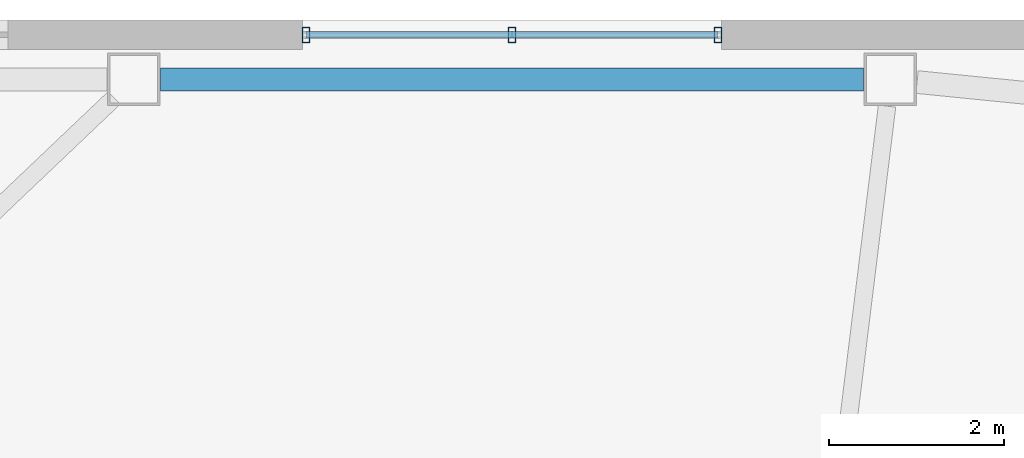
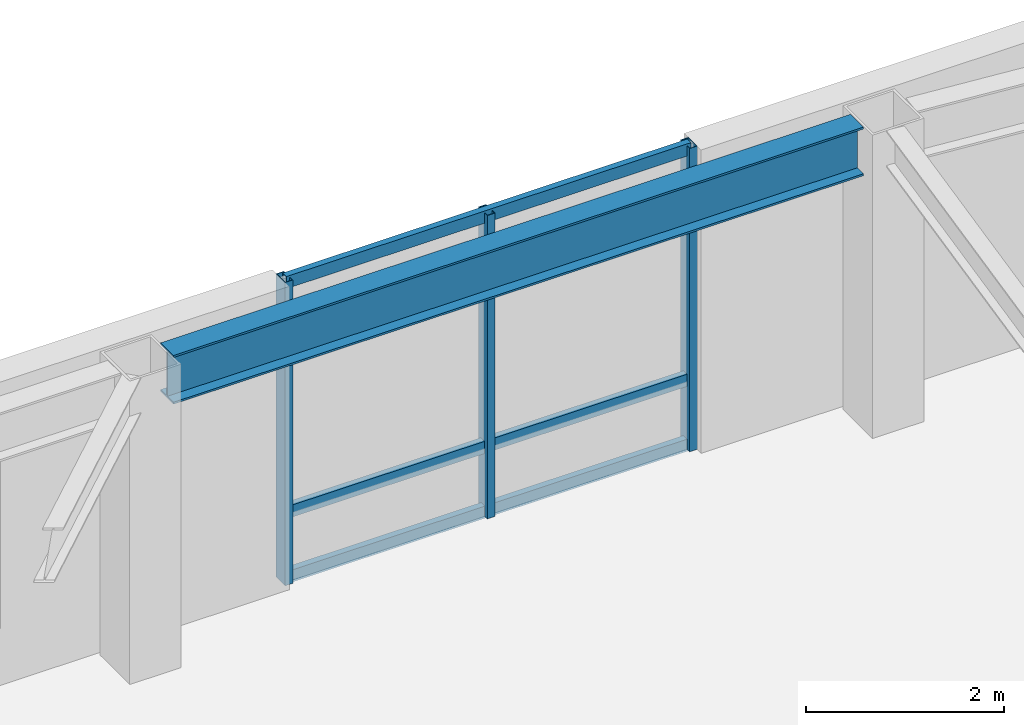
# One storey, part 7 of 19: 6 members, 1 beam, 1 element without a shape of its own.
"""IFC4 building model written with IfcOpenShell, lengths in metres."""

from ifc_helpers import new_model, si_unit, direction, frame, origin, origin_2d, place, context, subcontext, project, spatial, hollow_rectangle, i_section, extrude, material, layer, layer_set, material_profile, profile_set, type_object, element, aggregate, save


model = new_model("IFC4")

# Units and contexts
model_context = context("Model", 3, precision=1e-05, world=origin(), true_north=direction((0.0, 1.0)))
body_context = subcontext(model_context, "Body", "Model", "MODEL_VIEW")
ifc_project = project(units=[si_unit("LENGTHUNIT", "METRE"), si_unit("AREAUNIT", "SQUARE_METRE"), si_unit("VOLUMEUNIT", "CUBIC_METRE"), si_unit("PLANEANGLEUNIT", "RADIAN"), si_unit("MASSUNIT", "GRAM", prefix="KILO")], contexts=[model_context])

# Site, building, storey
site_placement = place(None, origin())
site = spatial("IfcSite", under=ifc_project, at=site_placement, CompositionType="ELEMENT")
building_placement = place(site_placement, origin())
building = spatial("IfcBuilding", under=site, at=building_placement, Name="Tavrogorsk Clinical Tower", CompositionType="ELEMENT")
storey_placement = place(building_placement, frame((0.0, 0.0, 156.199951171875)))
storey = spatial("IfcBuildingStorey", under=building, at=storey_placement, Name="L35", CompositionType="ELEMENT", Elevation=156.199951171875)

# Curtain wall, members
ifc_material_1 = material(Name="Anodised aluminium and triple IGU glazing", Category="aluminium")
ifc_layer = layer(ifc_material_1, 0.179931640625)
ifc_layer_set = layer_set([ifc_layer], Name="Anodised aluminium and triple IGU glazing")
curtain_wall_type = type_object("IfcCurtainWallType", Name="CW2_NorthSlot", PredefinedType="NOTDEFINED", material=ifc_layer_set)
curtain_wall_placement = place(storey_placement, origin())
curtain_wall = element("IfcCurtainWall", 1, at=curtain_wall_placement, inside=storey, type_object=curtain_wall_type, Name="L35 Curtain Wall CW-L35-N-SLOT-1", PredefinedType="NOTDEFINED")
ifc_material_2 = material(Name="Anodised aluminium alloy AW-6060", Category="aluminium")
ifc_material_profile_1 = material_profile(ifc_material_2, hollow_rectangle(XDim=0.090087890625, YDim=0.179931640625, WallThickness=0.00634765625, at=origin_2d()), Name="RHS-180x90x6.3")
ifc_profile_set_1 = profile_set([ifc_material_profile_1], Name="Anodised aluminium alloy AW-6060")
member_type_1 = type_object("IfcMemberType", Name="CwMullion_180x90", PredefinedType="MULLION", material=ifc_profile_set_1)
member_1_placement = place(storey_placement, frame((-3.90380859375, 26.929931640625, 0.0), z_axis=(0.0, 0.0, 1.0), x_axis=(-1.0, 0.0, 0.0)))
member_1 = element("IfcMember", 2, at=member_1_placement, type_object=member_type_1, Name="CW-L35-N-SLOT-1 Mullion 1", PredefinedType="MULLION", context=body_context, shape_type="SweptSolid", body=[
    extrude(hollow_rectangle(XDim=0.090087890625, YDim=0.179931640625, WallThickness=0.00634765625, at=origin_2d()), origin(), (0.0, 0.0, 1.0), 3.739990234375),
])
member_2_placement = place(storey_placement, frame((-6.262939453125, 26.929931640625, 0.0), z_axis=(0.0, 0.0, 1.0), x_axis=(-1.0, 0.0, 0.0)))
member_2 = element("IfcMember", 3, at=member_2_placement, type_object=member_type_1, Name="CW-L35-N-SLOT-1 Mullion 2", PredefinedType="MULLION", context=body_context, shape_type="SweptSolid", body=[
    extrude(hollow_rectangle(XDim=0.090087890625, YDim=0.179931640625, WallThickness=0.00634765625, at=origin_2d()), origin(), (0.0, 0.0, 1.0), 3.739990234375),
])
member_3_placement = place(storey_placement, frame((-8.621826171875, 26.929931640625, 0.0), z_axis=(0.0, 0.0, 1.0), x_axis=(-1.0, 0.0, 0.0)))
member_3 = element("IfcMember", 4, at=member_3_placement, type_object=member_type_1, Name="CW-L35-N-SLOT-1 Mullion 3", PredefinedType="MULLION", context=body_context, shape_type="SweptSolid", body=[
    extrude(hollow_rectangle(XDim=0.090087890625, YDim=0.179931640625, WallThickness=0.00634765625, at=origin_2d()), origin(), (0.0, 0.0, 1.0), 3.739990234375),
])
ifc_material_3 = material(Name="Anodised aluminium alloy AW-6060", Category="aluminium")
ifc_material_profile_2 = material_profile(ifc_material_3, hollow_rectangle(XDim=0.074951171875, YDim=0.14990234375, WallThickness=0.0048828125, at=origin_2d()), Name="RHS-150x75x5")
ifc_profile_set_2 = profile_set([ifc_material_profile_2], Name="Anodised aluminium alloy AW-6060")
member_type_2 = type_object("IfcMemberType", Name="CwTransom_150x75", PredefinedType="USERDEFINED", material=ifc_profile_set_2)
member_4_placement = place(storey_placement, frame((-3.90380859375, 26.929931640625, 0.050048828125), z_axis=(-1.0, 0.0, 0.0), x_axis=(0.0, -1.0, 0.0)))
member_4 = element("IfcMember", 5, at=member_4_placement, type_object=member_type_2, Name="CW-L35-N-SLOT-1 Transom 1", ObjectType="TRANSOM", PredefinedType="USERDEFINED", context=body_context, shape_type="SweptSolid", body=[
    extrude(hollow_rectangle(XDim=0.074951171875, YDim=0.14990234375, WallThickness=0.0048828125, at=origin_2d()), origin(), (0.0, 0.0, 1.0), 4.718017578125),
])
member_5_placement = place(storey_placement, frame((-3.90380859375, 26.929931640625, 0.85009765625), z_axis=(-1.0, 0.0, 0.0), x_axis=(0.0, -1.0, 0.0)))
member_5 = element("IfcMember", 6, at=member_5_placement, type_object=member_type_2, Name="CW-L35-N-SLOT-1 Transom 2", ObjectType="TRANSOM", PredefinedType="USERDEFINED", context=body_context, shape_type="SweptSolid", body=[
    extrude(hollow_rectangle(XDim=0.074951171875, YDim=0.14990234375, WallThickness=0.0048828125, at=origin_2d()), origin(), (0.0, 0.0, 1.0), 4.718017578125),
])
member_6_placement = place(storey_placement, frame((-3.90380859375, 26.929931640625, 3.68994140625), z_axis=(-1.0, 0.0, 0.0), x_axis=(0.0, -1.0, 0.0)))
member_6 = element("IfcMember", 7, at=member_6_placement, type_object=member_type_2, Name="CW-L35-N-SLOT-1 Transom 3", ObjectType="TRANSOM", PredefinedType="USERDEFINED", context=body_context, shape_type="SweptSolid", body=[
    extrude(hollow_rectangle(XDim=0.074951171875, YDim=0.14990234375, WallThickness=0.0048828125, at=origin_2d()), origin(), (0.0, 0.0, 1.0), 4.718017578125),
])
aggregate(curtain_wall, [member_1, member_2, member_3, member_4, member_5, member_6])

# Beam
ifc_material_4 = material(Name="Structural steel S390", Category="steel")
ifc_material_profile_3 = material_profile(ifc_material_4, i_section(OverallWidth=0.260009765625, OverallDepth=0.60009765625, WebThickness=0.014892578125, FlangeThickness=0.02392578125, at=origin_2d()), Name="B-600x260x15x24")
ifc_profile_set_3 = profile_set([ifc_material_profile_3], Name="Structural steel S390")
beam_type = type_object("IfcBeamType", Name="SpandrelBeam_B600", PredefinedType="SPANDREL", material=ifc_profile_set_3)
beam_placement = place(storey_placement, frame((-2.239501953125, 26.419921875, 3.43994140625), z_axis=(-1.0, 0.0, 0.0), x_axis=(0.0, -1.0, 0.0)))
element("IfcBeam", 8, at=beam_placement, inside=storey, type_object=beam_type, Name="L35 Perimeter Spandrel N5-N6", PredefinedType="SPANDREL", context=body_context, shape_type="SweptSolid", body=[
    extrude(i_section(OverallWidth=0.260009765625, OverallDepth=0.60009765625, WebThickness=0.014892578125, FlangeThickness=0.02392578125, at=origin_2d()), origin(), (0.0, 0.0, 1.0), 8.046875),
])

save(model, "model.ifc")
